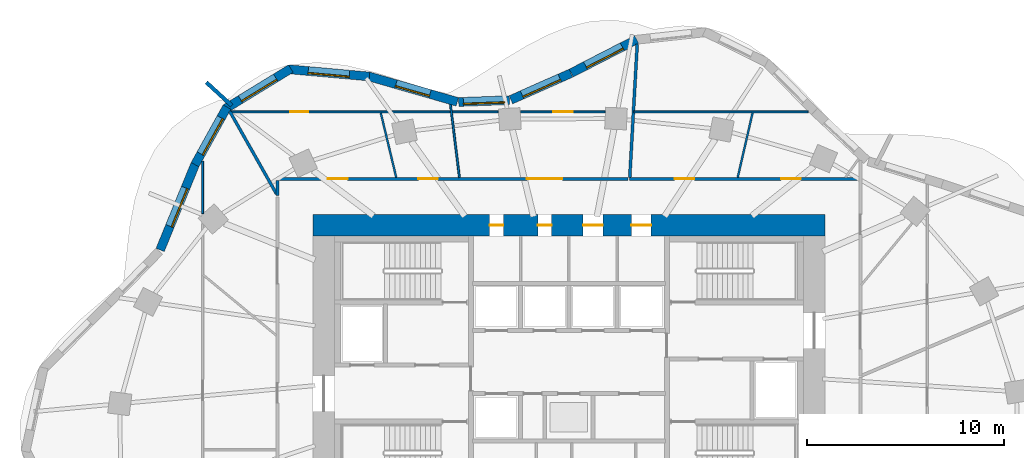
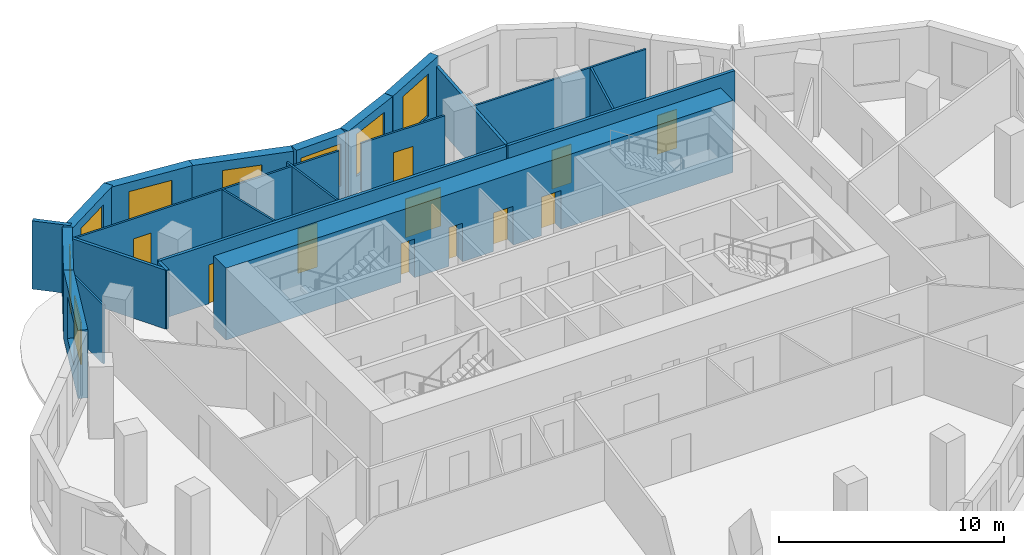
# One storey, part 7 of 10: 22 walls, 11 doors, 8 windows, 19 openings.
"""IFC4 building model written with IfcOpenShell, lengths in metres."""

import ifcopenshell
import ifcopenshell.guid

model = None  # the IFC model being written
_history = None  # IfcOwnerHistory: only IFC2X3 demands one
_inside = {}  # id of a spatial element -> (the spatial element, [elements in it])
_under = {}  # id of a project, library or spatial element -> (it, [spatial elements below it])
_declared = {}  # id of a project -> (the project, [libraries it declares])
_typed = {}  # id of a type object -> (the type object, [elements of that type])
_made_of = {}  # id of a material, layer set ... -> (it, [elements and type objects made of it])


def new_model(schema):
    """Start an empty IFC model of exactly this schema.

    Asked for "IFC4X3", IfcOpenShell would pick the latest addendum, in which some entities
    have other attributes; the version numbers below select the first issue.
    IFC2X3 requires an IfcOwnerHistory on every rooted entity: one is made here for all.
    """
    global model, _history
    if schema == "IFC4X3":
        model = ifcopenshell.file(schema_version=(4, 3, 0, 0))
    else:
        model = ifcopenshell.file(schema=schema)
    _inside.clear()
    _under.clear()
    _declared.clear()
    _typed.clear()
    _made_of.clear()
    _history = None
    if model.schema == "IFC2X3":
        org = make("IfcOrganization", Name="unknown")
        user = make(
            "IfcPersonAndOrganization",
            ThePerson=make("IfcPerson", FamilyName="unknown"),
            TheOrganization=org,
        )
        app = make(
            "IfcApplication",
            ApplicationDeveloper=org,
            Version="unknown",
            ApplicationFullName="unknown",
            ApplicationIdentifier="unknown",
        )
        _history = make(
            "IfcOwnerHistory",
            OwningUser=user,
            OwningApplication=app,
            ChangeAction="ADDED",
            CreationDate=0,
        )
    return model


def make(cls, **values):
    """One entity of the class cls with the attributes given. An attribute that is None is left unset."""
    return model.create_entity(
        cls, **{name: value for name, value in values.items() if value is not None}
    )


def rooted(cls, **values):
    """An entity with a GlobalId (a new one), such as an element, a storey or a relation."""
    return make(cls, GlobalId=ifcopenshell.guid.new(), OwnerHistory=_history, **values)


def si_unit(unit_type, name, prefix=None):
    """IfcSIUnit, for example si_unit("LENGTHUNIT", "METRE", prefix="MILLI")."""
    return make("IfcSIUnit", UnitType=unit_type, Prefix=prefix, Name=name)


def assignment(units):
    """IfcUnitAssignment: the units of a project."""
    return None if units is None else make("IfcUnitAssignment", Units=units)


def point(xyz):
    """IfcCartesianPoint."""
    return None if xyz is None else make("IfcCartesianPoint", Coordinates=xyz)


def direction(xyz):
    """IfcDirection."""
    return None if xyz is None else make("IfcDirection", DirectionRatios=xyz)


def frame(location, z_axis=None, x_axis=None):
    """IfcAxis2Placement3D, a coordinate frame: its origin and axes. An axis left out is left unset."""
    return make(
        "IfcAxis2Placement3D",
        Location=point(location),
        Axis=direction(z_axis),
        RefDirection=direction(x_axis),
    )


def frame_2d(location, x_axis=None):
    """IfcAxis2Placement2D, a coordinate frame in the plane: its origin and x axis."""
    return make(
        "IfcAxis2Placement2D", Location=point(location), RefDirection=direction(x_axis)
    )


def origin():
    """The frame at (0, 0, 0) with its axes left unset."""
    return frame((0.0, 0.0, 0.0))


def place(relative_to, where):
    """IfcLocalPlacement: puts the frame where relative to a parent placement (None: the world)."""
    return make(
        "IfcLocalPlacement", PlacementRelTo=relative_to, RelativePlacement=where
    )


def context(
    kind, dimensions, precision=None, world=None, true_north=None, identifier=None
):
    """IfcGeometricRepresentationContext, for example the 3D "Model" context."""
    return make(
        "IfcGeometricRepresentationContext",
        ContextIdentifier=identifier,
        ContextType=kind,
        CoordinateSpaceDimension=dimensions,
        Precision=precision,
        WorldCoordinateSystem=world,
        TrueNorth=true_north,
    )


def subcontext(parent, identifier, kind, view, scale=None):
    """IfcGeometricRepresentationSubContext, for example "Body" below "Model"."""
    return make(
        "IfcGeometricRepresentationSubContext",
        ContextIdentifier=identifier,
        ContextType=kind,
        ParentContext=parent,
        TargetScale=scale,
        TargetView=view,
    )


def project(units=None, contexts=None):
    """IfcProject with its units and contexts."""
    return rooted(
        "IfcProject",
        Name="project",
        RepresentationContexts=contexts,
        UnitsInContext=assignment(units),
    )


def spatial(cls, under=None, at=None, **own):
    """A site, building, storey or space (cls), placed at a placement, below another one or the project."""
    s = rooted(cls, ObjectPlacement=at, **own)
    if under is not None:
        _under.setdefault(under.id(), (under, []))[1].append(s)
    return s


def profile(cls, at=None, kind="AREA", **sizes):
    """A parametric profile (cls). Its sizes go by their IFC names, for example OverallWidth=200.0."""
    return make(cls, ProfileType=kind, Position=at, **sizes)


def rectangle(**sizes):
    """IfcRectangleProfileDef."""
    return profile("IfcRectangleProfileDef", **sizes)


def extrude(swept, where, along, depth):
    """IfcExtrudedAreaSolid: the profile swept, set in the frame where, extruded along a direction by depth."""
    return make(
        "IfcExtrudedAreaSolid",
        SweptArea=swept,
        Position=where,
        ExtrudedDirection=direction(along),
        Depth=depth,
    )


def shape(context_of_items, identifier, shape_type, items):
    """IfcShapeRepresentation: the items that make up one representation, for example the "Body"."""
    return make(
        "IfcShapeRepresentation",
        ContextOfItems=context_of_items,
        RepresentationIdentifier=identifier,
        RepresentationType=shape_type,
        Items=items,
    )


def material(Name=None, Category=None):
    """IfcMaterial."""
    return make("IfcMaterial", Name=Name, Category=Category)


def layer(
    of_material, thickness, ventilated=None, Name=None, Category=None, Priority=None
):
    """IfcMaterialLayer: one layer of a wall or slab, of a material (None: an air gap)."""
    return make(
        "IfcMaterialLayer",
        Material=of_material,
        LayerThickness=thickness,
        IsVentilated=ventilated,
        Name=Name,
        Category=Category,
        Priority=Priority,
    )


def layer_set(layers, Name=None):
    """IfcMaterialLayerSet."""
    return make("IfcMaterialLayerSet", MaterialLayers=layers, LayerSetName=Name)


def made_of(thing, what):
    """Note that an element or type object is made of a material, layer set ...; save() writes the relation."""
    if what is not None:
        _made_of.setdefault(what.id(), (what, []))[1].append(thing)
    return thing


def type_object(cls, material=None, **own):
    """A type object (cls), such as IfcWallType, which elements share."""
    return made_of(rooted(cls, **own), material)


def element(
    cls,
    number,
    at=None,
    inside=None,
    cuts=None,
    type_object=None,
    material=None,
    context=None,
    identifier="Body",
    shape_type=None,
    held_by="IfcProductDefinitionShape",
    body=None,
    shapes=None,
    **own,
):
    """One element of the class cls, such as IfcWall. Its Tag is "e" and its number.

    at: its placement. inside: the storey or other place that contains it. cuts: it is an
    opening in that element (IfcRelVoidsElement). A single representation is given by context,
    identifier, shape_type and body (its items); several are given by shapes. held_by: the class
    of the entity that holds the representations. save() writes the other relations.
    """
    e = rooted(cls, Tag="e%d" % number, ObjectPlacement=at, **own)
    if body is not None:
        shapes = [shape(context, identifier, shape_type, body)]
    if shapes is not None:
        e.Representation = make(held_by, Representations=shapes)
    if inside is not None:
        _inside.setdefault(inside.id(), (inside, []))[1].append(e)
    if cuts is not None:
        rooted(
            "IfcRelVoidsElement", RelatingBuildingElement=cuts, RelatedOpeningElement=e
        )
    if type_object is not None:
        _typed.setdefault(type_object.id(), (type_object, []))[1].append(e)
    return made_of(e, material)


def fill(opening, filler):
    """IfcRelFillsElement: the door or window that sits in an opening."""
    return rooted(
        "IfcRelFillsElement",
        RelatingOpeningElement=opening,
        RelatedBuildingElement=filler,
    )


def aggregate(whole, parts):
    """IfcRelAggregates: a whole, such as a stair, and the parts it consists of."""
    return rooted("IfcRelAggregates", RelatingObject=whole, RelatedObjects=parts)


def save(model, path):
    """Write the relations noted so far, then the file.

    IfcRelAggregates (storeys below a building ...), IfcRelContainedInSpatialStructure (elements
    in a storey), IfcRelDefinesByType, IfcRelAssociatesMaterial and IfcRelDeclares: one each for
    every whole, place, type object, material and project.
    """
    for whole, parts in _under.values():
        aggregate(whole, parts)
    for where, things in _inside.values():
        rooted(
            "IfcRelContainedInSpatialStructure",
            RelatedElements=things,
            RelatingStructure=where,
        )
    for kind, things in _typed.values():
        rooted("IfcRelDefinesByType", RelatedObjects=things, RelatingType=kind)
    for what, things in _made_of.values():
        rooted("IfcRelAssociatesMaterial", RelatedObjects=things, RelatingMaterial=what)
    for by, libraries in _declared.values():
        rooted("IfcRelDeclares", RelatingContext=by, RelatedDefinitions=libraries)
    model.write(path)


model = new_model("IFC4")

# Units and contexts
model_context = context("Model", 3, precision=1e-05, world=origin(), true_north=direction((0.0, 1.0)))
body_context = subcontext(model_context, "Body", "Model", "MODEL_VIEW")
ifc_project = project(units=[si_unit("LENGTHUNIT", "METRE"), si_unit("AREAUNIT", "SQUARE_METRE"), si_unit("VOLUMEUNIT", "CUBIC_METRE"), si_unit("PLANEANGLEUNIT", "RADIAN"), si_unit("MASSUNIT", "GRAM", prefix="KILO")], contexts=[model_context])

# Site, building, storey
site_placement = place(None, origin())
site = spatial("IfcSite", under=ifc_project, at=site_placement, CompositionType="ELEMENT")
building_placement = place(site_placement, origin())
building = spatial("IfcBuilding", under=site, at=building_placement, Name="Rubra Terraces Tower", CompositionType="ELEMENT")
storey_placement = place(building_placement, frame((0.0, 0.0, 134.39990234375)))
storey = spatial("IfcBuildingStorey", under=building, at=storey_placement, Name="L32", CompositionType="ELEMENT", Elevation=134.39990234375)

# Wall, opening, window
ifc_material_1 = material(Name="Brick masonry red-brown", Category="masonry")
ifc_layer_1 = layer(ifc_material_1, 0.449951171875)
ifc_layer_set_1 = layer_set([ifc_layer_1], Name="Brick masonry red-brown")
wall_type_1 = type_object("IfcWallType", Name="Brick facade wall 450", PredefinedType="SOLIDWALL", material=ifc_layer_set_1)
wall_1_placement = place(storey_placement, frame((3.439697265625, 20.879638671875, 0.0), z_axis=(0.0, 0.0, 1.0), x_axis=(-0.889471529144, -0.456990589446, 0.0)))
wall_1 = element("IfcWall", 1, at=wall_1_placement, inside=storey, type_object=wall_type_1, Name="Facade wall L32 bay 10", PredefinedType="SOLIDWALL", context=body_context, shape_type="SweptSolid", body=[
    extrude(rectangle(XDim=3.7353515625, YDim=0.449951171875, at=frame_2d((1.86767578125, 0.0))), origin(), (0.0, 0.0, 1.0), 3.7001953125),
])
opening_1_placement = place(wall_1_placement, frame((0.817626953125, 0.0, 0.89990234375)))
opening_1 = element("IfcOpeningElement", 2, at=opening_1_placement, cuts=wall_1, Name="Opening W1B", PredefinedType="OPENING", context=body_context, shape_type="SweptSolid", body=[
    extrude(rectangle(XDim=2.10009765625, YDim=2.300048828125, at=frame_2d((1.050048828125, 1.14990234375))), frame((0.0, 0.23486328125, 0.0), z_axis=(0.0, -1.0, 0.0), x_axis=(1.0, 0.0, 0.0)), (0.0, 0.0, 1.0), 0.469970703125),
])
ifc_material_2 = material(Name="Clear glass in aluminium frame", Category="aluminium")
window_type_1 = type_object("IfcWindowType", Name="Fixed deep-set window tall storey 2100 x 2300", PartitioningType="SINGLE_PANEL", PredefinedType="WINDOW", material=ifc_material_2)
window_1_placement = place(opening_1_placement, origin())
window_1 = element("IfcWindow", 3, at=window_1_placement, inside=storey, type_object=window_type_1, Name="Window L32 bay 10", OverallHeight=2.300048828125, OverallWidth=2.10009765625, PartitioningType="SINGLE_PANEL", PredefinedType="WINDOW", context=body_context, shape_type="SweptSolid", body=[
    extrude(rectangle(XDim=2.10009765625, YDim=2.300048828125, at=frame_2d((1.050048828125, 1.14990234375))), frame((0.0, 0.135009765625, 0.0), z_axis=(0.0, -1.0, 0.0), x_axis=(1.0, 0.0, 0.0)), (0.0, 0.0, 1.0), 0.06005859375),
])
fill(opening_1, window_1)

wall_2_placement = place(storey_placement, frame((0.105224609375, 19.1669921875, 0.0), z_axis=(0.0, 0.0, 1.0), x_axis=(-0.91414046241, -0.405397601109, 0.0)))
wall_2 = element("IfcWall", 4, at=wall_2_placement, inside=storey, type_object=wall_type_1, Name="Facade wall L32 bay 11", PredefinedType="SOLIDWALL", context=body_context, shape_type="SweptSolid", body=[
    extrude(rectangle(XDim=3.333251953125, YDim=0.449951171875, at=frame_2d((1.66650390625, 0.0))), origin(), (0.0, 0.0, 1.0), 3.7001953125),
])
opening_2_placement = place(wall_2_placement, frame((0.61669921875, 0.0, 0.89990234375)))
opening_2 = element("IfcOpeningElement", 5, at=opening_2_placement, cuts=wall_2, Name="Opening W1B", PredefinedType="OPENING", context=body_context, shape_type="SweptSolid", body=[
    extrude(rectangle(XDim=2.10009765625, YDim=2.300048828125, at=frame_2d((1.050048828125, 1.14990234375))), frame((0.0, 0.23486328125, 0.0), z_axis=(0.0, -1.0, 0.0), x_axis=(1.0, 0.0, 0.0)), (0.0, 0.0, 1.0), 0.469970703125),
])
window_2_placement = place(opening_2_placement, origin())
window_2 = element("IfcWindow", 6, at=window_2_placement, inside=storey, type_object=window_type_1, Name="Window L32 bay 11", OverallHeight=2.300048828125, OverallWidth=2.10009765625, PartitioningType="SINGLE_PANEL", PredefinedType="WINDOW", context=body_context, shape_type="SweptSolid", body=[
    extrude(rectangle(XDim=2.10009765625, YDim=2.300048828125, at=frame_2d((1.050048828125, 1.14990234375))), frame((0.0, 0.135009765625, 0.0), z_axis=(0.0, -1.0, 0.0), x_axis=(1.0, 0.0, 0.0)), (0.0, 0.0, 1.0), 0.06005859375),
])
fill(opening_2, window_2)

wall_3_placement = place(storey_placement, frame((-3.022216796875, 17.797607421875, 0.0), z_axis=(0.0, 0.0, 1.0), x_axis=(-0.999339560591, -0.036337895349, 0.0)))
wall_3 = element("IfcWall", 7, at=wall_3_placement, inside=storey, type_object=wall_type_1, Name="Facade wall L32 bay 12", PredefinedType="SOLIDWALL", context=body_context, shape_type="SweptSolid", body=[
    extrude(rectangle(XDim=2.5732421875, YDim=0.449951171875, at=frame_2d((1.28662109375, 0.0))), origin(), (0.0, 0.0, 1.0), 3.7001953125),
])
opening_3_placement = place(wall_3_placement, frame((0.236572265625, 0.0, 0.89990234375)))
opening_3 = element("IfcOpeningElement", 8, at=opening_3_placement, cuts=wall_3, Name="Opening W1B", PredefinedType="OPENING", context=body_context, shape_type="SweptSolid", body=[
    extrude(rectangle(XDim=2.10009765625, YDim=2.300048828125, at=frame_2d((1.050048828125, 1.14990234375))), frame((0.0, 0.23486328125, 0.0), z_axis=(0.0, -1.0, 0.0), x_axis=(1.0, 0.0, 0.0)), (0.0, 0.0, 1.0), 0.469970703125),
])
window_3_placement = place(opening_3_placement, origin())
window_3 = element("IfcWindow", 9, at=window_3_placement, inside=storey, type_object=window_type_1, Name="Window L32 bay 12", OverallHeight=2.300048828125, OverallWidth=2.10009765625, PartitioningType="SINGLE_PANEL", PredefinedType="WINDOW", context=body_context, shape_type="SweptSolid", body=[
    extrude(rectangle(XDim=2.10009765625, YDim=2.300048828125, at=frame_2d((1.050048828125, 1.14990234375))), frame((0.0, 0.135009765625, 0.0), z_axis=(0.0, -1.0, 0.0), x_axis=(1.0, 0.0, 0.0)), (0.0, 0.0, 1.0), 0.06005859375),
])
fill(opening_3, window_3)

wall_4_placement = place(storey_placement, frame((-5.6640625, 17.712646484375, 0.0), z_axis=(0.0, 0.0, 1.0), x_axis=(-0.961108031684, 0.276172684083, 0.0)))
wall_4 = element("IfcWall", 10, at=wall_4_placement, inside=storey, type_object=wall_type_1, Name="Facade wall L32 bay 13", PredefinedType="SOLIDWALL", context=body_context, shape_type="SweptSolid", body=[
    extrude(rectangle(XDim=4.686279296875, YDim=0.449951171875, at=frame_2d((2.34326171875, 0.0))), origin(), (0.0, 0.0, 1.0), 3.7001953125),
])
opening_4_placement = place(wall_4_placement, frame((1.443115234375, 0.0, 0.89990234375)))
opening_4 = element("IfcOpeningElement", 11, at=opening_4_placement, cuts=wall_4, Name="Opening W6B", PredefinedType="OPENING", context=body_context, shape_type="SweptSolid", body=[
    extrude(rectangle(XDim=1.800048828125, YDim=2.300048828125, at=frame_2d((0.89990234375, 1.14990234375))), frame((0.0, 0.23486328125, 0.0), z_axis=(0.0, -1.0, 0.0), x_axis=(1.0, 0.0, 0.0)), (0.0, 0.0, 1.0), 0.469970703125),
])
window_type_2 = type_object("IfcWindowType", Name="Fixed deep-set window at wind fin tall storey 1800 x 2300", PartitioningType="SINGLE_PANEL", PredefinedType="WINDOW", material=ifc_material_2)
window_4_placement = place(opening_4_placement, origin())
window_4 = element("IfcWindow", 12, at=window_4_placement, inside=storey, type_object=window_type_2, Name="Window L32 bay 13", OverallHeight=2.300048828125, OverallWidth=1.800048828125, PartitioningType="SINGLE_PANEL", PredefinedType="WINDOW", context=body_context, shape_type="SweptSolid", body=[
    extrude(rectangle(XDim=1.800048828125, YDim=2.300048828125, at=frame_2d((0.89990234375, 1.14990234375))), frame((0.0, 0.135009765625, 0.0), z_axis=(0.0, -1.0, 0.0), x_axis=(1.0, 0.0, 0.0)), (0.0, 0.0, 1.0), 0.06005859375),
])
fill(opening_4, window_4)

wall_5_placement = place(storey_placement, frame((-10.125732421875, 18.9990234375, 0.0), z_axis=(0.0, 0.0, 1.0), x_axis=(-0.996031087117, 0.089006030672, 0.0)))
wall_5 = element("IfcWall", 13, at=wall_5_placement, inside=storey, type_object=wall_type_1, Name="Facade wall L32 bay 14", PredefinedType="SOLIDWALL", context=body_context, shape_type="SweptSolid", body=[
    extrude(rectangle(XDim=4.14453125, YDim=0.449951171875, at=frame_2d((2.072265625, 0.0))), origin(), (0.0, 0.0, 1.0), 3.7001953125),
])
opening_5_placement = place(wall_5_placement, frame((1.022216796875, 0.0, 0.89990234375)))
opening_5 = element("IfcOpeningElement", 14, at=opening_5_placement, cuts=wall_5, Name="Opening W1B", PredefinedType="OPENING", context=body_context, shape_type="SweptSolid", body=[
    extrude(rectangle(XDim=2.10009765625, YDim=2.300048828125, at=frame_2d((1.050048828125, 1.14990234375))), frame((0.0, 0.23486328125, 0.0), z_axis=(0.0, -1.0, 0.0), x_axis=(1.0, 0.0, 0.0)), (0.0, 0.0, 1.0), 0.469970703125),
])
window_5_placement = place(opening_5_placement, origin())
window_5 = element("IfcWindow", 15, at=window_5_placement, inside=storey, type_object=window_type_1, Name="Window L32 bay 14", OverallHeight=2.300048828125, OverallWidth=2.10009765625, PartitioningType="SINGLE_PANEL", PredefinedType="WINDOW", context=body_context, shape_type="SweptSolid", body=[
    extrude(rectangle(XDim=2.10009765625, YDim=2.300048828125, at=frame_2d((1.050048828125, 1.14990234375))), frame((0.0, 0.135009765625, 0.0), z_axis=(0.0, -1.0, 0.0), x_axis=(1.0, 0.0, 0.0)), (0.0, 0.0, 1.0), 0.06005859375),
])
fill(opening_5, window_5)

wall_6_placement = place(storey_placement, frame((-14.116455078125, 19.400146484375, 0.0), z_axis=(0.0, 0.0, 1.0), x_axis=(-0.852622865325, -0.522526793117, 0.0)))
wall_6 = element("IfcWall", 16, at=wall_6_placement, inside=storey, type_object=wall_type_1, Name="Facade wall L32 bay 15", PredefinedType="SOLIDWALL", context=body_context, shape_type="SweptSolid", body=[
    extrude(rectangle(XDim=3.896240234375, YDim=0.449951171875, at=frame_2d((1.9482421875, 0.0))), origin(), (0.0, 0.0, 1.0), 3.7001953125),
])
opening_6_placement = place(wall_6_placement, frame((0.898193359375, 0.0, 0.89990234375)))
opening_6 = element("IfcOpeningElement", 17, at=opening_6_placement, cuts=wall_6, Name="Opening W1B", PredefinedType="OPENING", context=body_context, shape_type="SweptSolid", body=[
    extrude(rectangle(XDim=2.10009765625, YDim=2.300048828125, at=frame_2d((1.050048828125, 1.14990234375))), frame((0.0, 0.23486328125, 0.0), z_axis=(0.0, -1.0, 0.0), x_axis=(1.0, 0.0, 0.0)), (0.0, 0.0, 1.0), 0.469970703125),
])
window_6_placement = place(opening_6_placement, origin())
window_6 = element("IfcWindow", 18, at=window_6_placement, inside=storey, type_object=window_type_1, Name="Window L32 bay 15", OverallHeight=2.300048828125, OverallWidth=2.10009765625, PartitioningType="SINGLE_PANEL", PredefinedType="WINDOW", context=body_context, shape_type="SweptSolid", body=[
    extrude(rectangle(XDim=2.10009765625, YDim=2.300048828125, at=frame_2d((1.050048828125, 1.14990234375))), frame((0.0, 0.135009765625, 0.0), z_axis=(0.0, -1.0, 0.0), x_axis=(1.0, 0.0, 0.0)), (0.0, 0.0, 1.0), 0.06005859375),
])
fill(opening_6, window_6)

wall_7_placement = place(storey_placement, frame((-17.359375, 17.44677734375, 0.0), z_axis=(0.0, 0.0, 1.0), x_axis=(-0.485618126214, -0.874171056197, 0.0)))
wall_7 = element("IfcWall", 19, at=wall_7_placement, inside=storey, type_object=wall_type_1, Name="Facade wall L32 bay 16", PredefinedType="SOLIDWALL", context=body_context, shape_type="SweptSolid", body=[
    extrude(rectangle(XDim=3.3427734375, YDim=0.449951171875, at=frame_2d((1.67138671875, 0.0))), origin(), (0.0, 0.0, 1.0), 3.7001953125),
])
opening_7_placement = place(wall_7_placement, frame((0.621337890625, 0.0, 0.89990234375)))
opening_7 = element("IfcOpeningElement", 20, at=opening_7_placement, cuts=wall_7, Name="Opening W1B", PredefinedType="OPENING", context=body_context, shape_type="SweptSolid", body=[
    extrude(rectangle(XDim=2.10009765625, YDim=2.300048828125, at=frame_2d((1.050048828125, 1.14990234375))), frame((0.0, 0.23486328125, 0.0), z_axis=(0.0, -1.0, 0.0), x_axis=(1.0, 0.0, 0.0)), (0.0, 0.0, 1.0), 0.469970703125),
])
window_7_placement = place(opening_7_placement, origin())
window_7 = element("IfcWindow", 21, at=window_7_placement, inside=storey, type_object=window_type_1, Name="Window L32 bay 16", OverallHeight=2.300048828125, OverallWidth=2.10009765625, PartitioningType="SINGLE_PANEL", PredefinedType="WINDOW", context=body_context, shape_type="SweptSolid", body=[
    extrude(rectangle(XDim=2.10009765625, YDim=2.300048828125, at=frame_2d((1.050048828125, 1.14990234375))), frame((0.0, 0.135009765625, 0.0), z_axis=(0.0, -1.0, 0.0), x_axis=(1.0, 0.0, 0.0)), (0.0, 0.0, 1.0), 0.06005859375),
])
fill(opening_7, window_7)

wall_8_placement = place(storey_placement, frame((-18.97119140625, 14.548828125, 0.0), z_axis=(0.0, 0.0, 1.0), x_axis=(-0.378434936431, -0.925627894398, 0.0)))
wall_8 = element("IfcWall", 22, at=wall_8_placement, inside=storey, type_object=wall_type_1, Name="Facade wall L32 bay 17", PredefinedType="SOLIDWALL", context=body_context, shape_type="SweptSolid", body=[
    extrude(rectangle(XDim=4.70751953125, YDim=0.449951171875, at=frame_2d((2.353759765625, 0.0))), origin(), (0.0, 0.0, 1.0), 3.7001953125),
])
opening_8_placement = place(wall_8_placement, frame((1.3037109375, 0.0, 0.89990234375)))
opening_8 = element("IfcOpeningElement", 23, at=opening_8_placement, cuts=wall_8, Name="Opening W1B", PredefinedType="OPENING", context=body_context, shape_type="SweptSolid", body=[
    extrude(rectangle(XDim=2.10009765625, YDim=2.300048828125, at=frame_2d((1.050048828125, 1.14990234375))), frame((0.0, 0.23486328125, 0.0), z_axis=(0.0, -1.0, 0.0), x_axis=(1.0, 0.0, 0.0)), (0.0, 0.0, 1.0), 0.469970703125),
])
window_8_placement = place(opening_8_placement, origin())
window_8 = element("IfcWindow", 24, at=window_8_placement, inside=storey, type_object=window_type_1, Name="Window L32 bay 17", OverallHeight=2.300048828125, OverallWidth=2.10009765625, PartitioningType="SINGLE_PANEL", PredefinedType="WINDOW", context=body_context, shape_type="SweptSolid", body=[
    extrude(rectangle(XDim=2.10009765625, YDim=2.300048828125, at=frame_2d((1.050048828125, 1.14990234375))), frame((0.0, 0.135009765625, 0.0), z_axis=(0.0, -1.0, 0.0), x_axis=(1.0, 0.0, 0.0)), (0.0, 0.0, 1.0), 0.06005859375),
])
fill(opening_8, window_8)

# Wall
ifc_layer_2 = layer(ifc_material_1, 0.199951171875)
ifc_layer_set_2 = layer_set([ifc_layer_2], Name="Brick masonry red-brown")
wall_type_2 = type_object("IfcWallType", Name="Brick wind fin 200", PredefinedType="SOLIDWALL", material=ifc_layer_set_2)
wall_9_placement = place(storey_placement, frame((-17.118896484375, 17.52294921875, 0.0), z_axis=(0.0, 0.0, 1.0), x_axis=(-0.737866019047, 0.674947211221, 0.0)))
element("IfcWall", 25, at=wall_9_placement, inside=storey, type_object=wall_type_2, Name="Wind fin L32 8", PredefinedType="SOLIDWALL", context=body_context, shape_type="SweptSolid", body=[
    extrude(rectangle(XDim=1.75, YDim=0.199951171875, at=frame_2d((0.875, 0.0))), origin(), (0.0, 0.0, 1.0), 3.7001953125),
])

# Wall, openings, doors
ifc_material_3 = material(Name="Concrete C60", Category="concrete")
ifc_layer_3 = layer(ifc_material_3, 1.10009765625)
ifc_layer_set_3 = layer_set([ifc_layer_3], Name="Concrete C60")
wall_type_3 = type_object("IfcWallType", Name="CORE WALL 1100 C60", PredefinedType="SHEAR", material=ifc_layer_set_3)
wall_10_placement = place(storey_placement, frame((-13.0, 11.449951171875, 0.0), z_axis=(0.0, 0.0, 1.0), x_axis=(1.0, 0.0, 0.0)))
wall_10 = element("IfcWall", 26, at=wall_10_placement, inside=storey, type_object=wall_type_3, Name="CORE WALL N L32", PredefinedType="SHEAR", context=body_context, shape_type="SweptSolid", body=[
    extrude(rectangle(XDim=26.0, YDim=1.10009765625, at=frame_2d((13.0, 0.0))), origin(), (0.0, 0.0, 1.0), 3.900146484375),
])
opening_9_placement = place(wall_10_placement, frame((8.97509765625, 0.0, 0.0)))
opening_9 = element("IfcOpeningElement", 27, at=opening_9_placement, cuts=wall_10, Name="Opening L32.C25", PredefinedType="OPENING", context=body_context, shape_type="SweptSolid", body=[
    extrude(rectangle(XDim=0.699951171875, YDim=2.10009765625, at=frame_2d((0.35009765625, 1.050048828125))), frame((0.0, 0.56005859375, 0.0), z_axis=(0.0, -1.0, 0.0), x_axis=(1.0, 0.0, 0.0)), (0.0, 0.0, 1.0), 1.1201171875),
])
opening_10_placement = place(wall_10_placement, frame((11.425048828125, 0.0, 0.0)))
opening_10 = element("IfcOpeningElement", 28, at=opening_10_placement, cuts=wall_10, Name="Opening L32.C26", PredefinedType="OPENING", context=body_context, shape_type="SweptSolid", body=[
    extrude(rectangle(XDim=0.699951171875, YDim=2.10009765625, at=frame_2d((0.35009765625, 1.050048828125))), frame((0.0, 0.56005859375, 0.0), z_axis=(0.0, -1.0, 0.0), x_axis=(1.0, 0.0, 0.0)), (0.0, 0.0, 1.0), 1.1201171875),
])
opening_11_placement = place(wall_10_placement, frame((13.72509765625, 0.0, 0.0)))
opening_11 = element("IfcOpeningElement", 29, at=opening_11_placement, cuts=wall_10, Name="Opening L32.C27", PredefinedType="OPENING", context=body_context, shape_type="SweptSolid", body=[
    extrude(rectangle(XDim=1.0, YDim=2.10009765625, at=frame_2d((0.5, 1.050048828125))), frame((0.0, 0.56005859375, 0.0), z_axis=(0.0, -1.0, 0.0), x_axis=(1.0, 0.0, 0.0)), (0.0, 0.0, 1.0), 1.1201171875),
])
opening_12_placement = place(wall_10_placement, frame((16.175048828125, 0.0, 0.0)))
opening_12 = element("IfcOpeningElement", 30, at=opening_12_placement, cuts=wall_10, Name="Opening L32.C28", PredefinedType="OPENING", context=body_context, shape_type="SweptSolid", body=[
    extrude(rectangle(XDim=1.0, YDim=2.10009765625, at=frame_2d((0.5, 1.050048828125))), frame((0.0, 0.56005859375, 0.0), z_axis=(0.0, -1.0, 0.0), x_axis=(1.0, 0.0, 0.0)), (0.0, 0.0, 1.0), 1.1201171875),
])
ifc_material_4 = material(Name="Painted steel", Category="steel")
door_type_1 = type_object("IfcDoorType", Name="Fire door 1000x2100 single", OperationType="NOTDEFINED", PredefinedType="DOOR", material=ifc_material_4)
door_1_placement = place(opening_11_placement, origin())
door_1 = element("IfcDoor", 31, at=door_1_placement, inside=storey, type_object=door_type_1, Name="Tea point door", OperationType="SINGLE_SWING_LEFT", OverallHeight=2.10009765625, OverallWidth=1.0, PredefinedType="DOOR", context=body_context, shape_type="SweptSolid", body=[
    extrude(rectangle(XDim=1.0, YDim=2.10009765625, at=frame_2d((0.5, 1.050048828125))), frame((0.0, 0.02490234375, 0.0), z_axis=(0.0, -1.0, 0.0), x_axis=(1.0, 0.0, 0.0)), (0.0, 0.0, 1.0), 0.050048828125),
])
fill(opening_11, door_1)
door_2_placement = place(opening_12_placement, origin())
door_2 = element("IfcDoor", 32, at=door_2_placement, inside=storey, type_object=door_type_1, Name="General store door", OperationType="SINGLE_SWING_RIGHT", OverallHeight=2.10009765625, OverallWidth=1.0, PredefinedType="DOOR", context=body_context, shape_type="SweptSolid", body=[
    extrude(rectangle(XDim=1.0, YDim=2.10009765625, at=frame_2d((0.5, 1.050048828125))), frame((0.0, 0.02490234375, 0.0), z_axis=(0.0, -1.0, 0.0), x_axis=(1.0, 0.0, 0.0)), (0.0, 0.0, 1.0), 0.050048828125),
])
fill(opening_12, door_2)
door_type_2 = type_object("IfcDoorType", Name="Riser access door 700x2100 single", OperationType="NOTDEFINED", PredefinedType="DOOR", material=ifc_material_4)
door_3_placement = place(opening_9_placement, origin())
door_3 = element("IfcDoor", 33, at=door_3_placement, inside=storey, type_object=door_type_2, Name="Electrical riser room door", OperationType="SINGLE_SWING_LEFT", OverallHeight=2.10009765625, OverallWidth=0.699951171875, PredefinedType="DOOR", context=body_context, shape_type="SweptSolid", body=[
    extrude(rectangle(XDim=0.699951171875, YDim=2.10009765625, at=frame_2d((0.35009765625, 1.050048828125))), frame((0.0, 0.02490234375, 0.0), z_axis=(0.0, -1.0, 0.0), x_axis=(1.0, 0.0, 0.0)), (0.0, 0.0, 1.0), 0.050048828125),
])
fill(opening_9, door_3)
door_4_placement = place(opening_10_placement, origin())
door_4 = element("IfcDoor", 34, at=door_4_placement, inside=storey, type_object=door_type_2, Name="Telecoms room door", OperationType="SINGLE_SWING_RIGHT", OverallHeight=2.10009765625, OverallWidth=0.699951171875, PredefinedType="DOOR", context=body_context, shape_type="SweptSolid", body=[
    extrude(rectangle(XDim=0.699951171875, YDim=2.10009765625, at=frame_2d((0.35009765625, 1.050048828125))), frame((0.0, 0.02490234375, 0.0), z_axis=(0.0, -1.0, 0.0), x_axis=(1.0, 0.0, 0.0)), (0.0, 0.0, 1.0), 0.050048828125),
])
fill(opening_10, door_4)

ifc_material_5 = material(Name="Plasterboard on steel stud, mineral wool infill", Category="steel")
ifc_layer_4 = layer(ifc_material_5, 0.14990234375)
ifc_layer_set_4 = layer_set([ifc_layer_4], Name="Plasterboard on steel stud, mineral wool infill")
wall_type_4 = type_object("IfcWallType", Name="CORRIDOR PARTITION 150", PredefinedType="PARTITIONING", material=ifc_layer_set_4)
wall_11_placement = place(storey_placement, frame((14.72509765625, 13.800048828125, 0.0), z_axis=(0.0, 0.0, 1.0), x_axis=(-1.0, 0.0, 0.0)))
wall_11 = element("IfcWall", 35, at=wall_11_placement, inside=storey, type_object=wall_type_4, Name="PARTITION", PredefinedType="PARTITIONING", context=body_context, shape_type="SweptSolid", body=[
    extrude(rectangle(XDim=11.638427734375, YDim=0.14990234375, at=frame_2d((5.8193359375, 0.0))), origin(), (0.0, 0.0, 1.0), 3.197998046875),
])
opening_13_placement = place(wall_11_placement, frame((2.949951171875, 0.0, 0.0)))
opening_13 = element("IfcOpeningElement", 36, at=opening_13_placement, cuts=wall_11, Name="Opening 32-124", PredefinedType="OPENING", context=body_context, shape_type="SweptSolid", body=[
    extrude(rectangle(XDim=1.0, YDim=2.10009765625, at=frame_2d((0.5, 1.050048828125))), frame((0.0, 0.0849609375, 0.0), z_axis=(0.0, -1.0, 0.0), x_axis=(1.0, 0.0, 0.0)), (0.0, 0.0, 1.0), 0.169921875),
])
opening_14_placement = place(wall_11_placement, frame((8.35009765625, 0.0, 0.0)))
opening_14 = element("IfcOpeningElement", 37, at=opening_14_placement, cuts=wall_11, Name="Opening 32-125", PredefinedType="OPENING", context=body_context, shape_type="SweptSolid", body=[
    extrude(rectangle(XDim=1.0, YDim=2.10009765625, at=frame_2d((0.5, 1.050048828125))), frame((0.0, 0.0849609375, 0.0), z_axis=(0.0, -1.0, 0.0), x_axis=(1.0, 0.0, 0.0)), (0.0, 0.0, 1.0), 0.169921875),
])
ifc_material_6 = material(Name="Painted timber door leaf", Category="wood")
door_type_3 = type_object("IfcDoorType", Name="ROOM DOOR 1000 X 2100", OperationType="SINGLE_SWING_LEFT", PredefinedType="DOOR", material=ifc_material_6)
door_5_placement = place(opening_13_placement, origin())
door_5 = element("IfcDoor", 38, at=door_5_placement, inside=storey, type_object=door_type_3, Name="DOOR 32-124", OperationType="SINGLE_SWING_RIGHT", OverallHeight=2.10009765625, OverallWidth=1.0, PredefinedType="DOOR", context=body_context, shape_type="SweptSolid", body=[
    extrude(rectangle(XDim=1.0, YDim=2.10009765625, at=frame_2d((0.5, 1.050048828125))), frame((0.0, 0.02490234375, 0.0), z_axis=(0.0, -1.0, 0.0), x_axis=(1.0, 0.0, 0.0)), (0.0, 0.0, 1.0), 0.050048828125),
])
fill(opening_13, door_5)
door_6_placement = place(opening_14_placement, origin())
door_6 = element("IfcDoor", 39, at=door_6_placement, inside=storey, type_object=door_type_3, Name="DOOR 32-125", OperationType="SINGLE_SWING_RIGHT", OverallHeight=2.10009765625, OverallWidth=1.0, PredefinedType="DOOR", context=body_context, shape_type="SweptSolid", body=[
    extrude(rectangle(XDim=1.0, YDim=2.10009765625, at=frame_2d((0.5, 1.050048828125))), frame((0.0, 0.02490234375, 0.0), z_axis=(0.0, -1.0, 0.0), x_axis=(1.0, 0.0, 0.0)), (0.0, 0.0, 1.0), 0.050048828125),
])
fill(opening_14, door_6)

wall_12_placement = place(storey_placement, frame((3.01171875, 13.800048828125, 0.0), z_axis=(0.0, 0.0, 1.0), x_axis=(-1.0, 0.0, 0.0)))
wall_12 = element("IfcWall", 40, at=wall_12_placement, inside=storey, type_object=wall_type_4, Name="PARTITION", PredefinedType="PARTITIONING", context=body_context, shape_type="SweptSolid", body=[
    extrude(rectangle(XDim=17.811767578125, YDim=0.14990234375, at=frame_2d((8.90576171875, 0.0))), origin(), (0.0, 0.0, 1.0), 3.197998046875),
])
opening_15_placement = place(wall_12_placement, frame((3.342041015625, 0.0, 0.0)))
opening_15 = element("IfcOpeningElement", 41, at=opening_15_placement, cuts=wall_12, Name="Opening 32-104", PredefinedType="OPENING", context=body_context, shape_type="SweptSolid", body=[
    extrude(rectangle(XDim=1.800048828125, YDim=2.10009765625, at=frame_2d((0.89990234375, 1.050048828125))), frame((0.0, 0.0849609375, 0.0), z_axis=(0.0, -1.0, 0.0), x_axis=(1.0, 0.0, 0.0)), (0.0, 0.0, 1.0), 0.169921875),
])
opening_16_placement = place(wall_12_placement, frame((9.658935546875, 0.0, 0.0)))
opening_16 = element("IfcOpeningElement", 42, at=opening_16_placement, cuts=wall_12, Name="Opening 32-105", PredefinedType="OPENING", context=body_context, shape_type="SweptSolid", body=[
    extrude(rectangle(XDim=1.0, YDim=2.39990234375, at=frame_2d((0.5, 1.199951171875))), frame((0.0, 0.0849609375, 0.0), z_axis=(0.0, -1.0, 0.0), x_axis=(1.0, 0.0, 0.0)), (0.0, 0.0, 1.0), 0.169921875),
])
opening_17_placement = place(wall_12_placement, frame((14.25, 0.0, 0.0)))
opening_17 = element("IfcOpeningElement", 43, at=opening_17_placement, cuts=wall_12, Name="Opening 32-127", PredefinedType="OPENING", context=body_context, shape_type="SweptSolid", body=[
    extrude(rectangle(XDim=1.0, YDim=2.10009765625, at=frame_2d((0.5, 1.050048828125))), frame((0.0, 0.0849609375, 0.0), z_axis=(0.0, -1.0, 0.0), x_axis=(1.0, 0.0, 0.0)), (0.0, 0.0, 1.0), 0.169921875),
])
ifc_material_7 = material(Name="Glazed aluminium meeting door leaf", Category="aluminium")
door_type_4 = type_object("IfcDoorType", Name="MEETING ROOM GLAZED DOOR 1000 X 2400", OperationType="SINGLE_SWING_LEFT", PredefinedType="DOOR", material=ifc_material_7)
door_7_placement = place(opening_16_placement, origin())
door_7 = element("IfcDoor", 44, at=door_7_placement, inside=storey, type_object=door_type_4, Name="DOOR 32-105", OperationType="SINGLE_SWING_RIGHT", OverallHeight=2.39990234375, OverallWidth=1.0, PredefinedType="DOOR", context=body_context, shape_type="SweptSolid", body=[
    extrude(rectangle(XDim=1.0, YDim=2.39990234375, at=frame_2d((0.5, 1.199951171875))), frame((0.0, 0.02490234375, 0.0), z_axis=(0.0, -1.0, 0.0), x_axis=(1.0, 0.0, 0.0)), (0.0, 0.0, 1.0), 0.050048828125),
])
fill(opening_16, door_7)
door_8_placement = place(opening_17_placement, origin())
door_8 = element("IfcDoor", 45, at=door_8_placement, inside=storey, type_object=door_type_3, Name="DOOR 32-127", OperationType="SINGLE_SWING_RIGHT", OverallHeight=2.10009765625, OverallWidth=1.0, PredefinedType="DOOR", context=body_context, shape_type="SweptSolid", body=[
    extrude(rectangle(XDim=1.0, YDim=2.10009765625, at=frame_2d((0.5, 1.050048828125))), frame((0.0, 0.02490234375, 0.0), z_axis=(0.0, -1.0, 0.0), x_axis=(1.0, 0.0, 0.0)), (0.0, 0.0, 1.0), 0.050048828125),
])
fill(opening_17, door_8)
ifc_material_8 = material(Name="Painted timber door leaf, double", Category="wood")
door_type_5 = type_object("IfcDoorType", Name="ROOM DOUBLE DOOR 1800 X 2100", OperationType="DOUBLE_DOOR_SINGLE_SWING", PredefinedType="DOOR", material=ifc_material_8)
door_9_placement = place(opening_15_placement, origin())
door_9 = element("IfcDoor", 46, at=door_9_placement, inside=storey, type_object=door_type_5, Name="DOOR 32-104", OperationType="DOUBLE_DOOR_SINGLE_SWING", OverallHeight=2.10009765625, OverallWidth=1.800048828125, PredefinedType="DOOR", context=body_context, shape_type="SweptSolid", body=[
    extrude(rectangle(XDim=1.800048828125, YDim=2.10009765625, at=frame_2d((0.89990234375, 1.050048828125))), frame((0.0, 0.02490234375, 0.0), z_axis=(0.0, -1.0, 0.0), x_axis=(1.0, 0.0, 0.0)), (0.0, 0.0, 1.0), 0.050048828125),
])
fill(opening_15, door_9)

# Walls
wall_13_placement = place(storey_placement, frame((-14.800048828125, 13.72509765625, 0.0), z_axis=(0.0, 0.0, 1.0), x_axis=(0.0, -1.0, 0.0)))
element("IfcWall", 47, at=wall_13_placement, inside=storey, type_object=wall_type_4, Name="PARTITION", PredefinedType="PARTITIONING", context=body_context, shape_type="SweptSolid", body=[
    extrude(rectangle(XDim=0.7685546875, YDim=0.14990234375, at=frame_2d((0.38427734375, 0.0))), origin(), (0.0, 0.0, 1.0), 3.197998046875),
])
ifc_material_9 = material(Name="Plasterboard on steel stud", Category="steel")
ifc_layer_5 = layer(ifc_material_9, 0.10009765625)
ifc_layer_set_5 = layer_set([ifc_layer_5], Name="Plasterboard on steel stud")
wall_type_5 = type_object("IfcWallType", Name="ROOM PARTITION 100", PredefinedType="PARTITIONING", material=ifc_layer_set_5)
wall_14_placement = place(storey_placement, frame((3.297607421875, 17.199951171875, 0.0), z_axis=(0.0, 0.0, 1.0), x_axis=(1.0, 0.0, 0.0)))
element("IfcWall", 48, at=wall_14_placement, inside=storey, type_object=wall_type_5, Name="PARTITION", PredefinedType="PARTITIONING", context=body_context, shape_type="SweptSolid", body=[
    extrude(rectangle(XDim=8.85009765625, YDim=0.10009765625, at=frame_2d((4.425048828125, 0.0))), origin(), (0.0, 0.0, 1.0), 3.18408203125),
])
wall_15_placement = place(storey_placement, frame((8.572509765625, 13.873046875, 0.0), z_axis=(0.0, 0.0, 1.0), x_axis=(0.224048430302, 0.974578011695, 0.0)))
element("IfcWall", 49, at=wall_15_placement, inside=storey, type_object=wall_type_5, Name="PARTITION", PredefinedType="PARTITIONING", context=body_context, shape_type="SweptSolid", body=[
    extrude(rectangle(XDim=3.36376953125, YDim=0.10009765625, at=frame_2d((1.681884765625, 0.0))), origin(), (0.0, 0.0, 1.0), 3.18408203125),
])

# Wall, opening, door
wall_16_placement = place(storey_placement, frame((-17.177734375, 17.199951171875, 0.0), z_axis=(0.0, 0.0, 1.0), x_axis=(1.0, 0.0, 0.0)))
wall_16 = element("IfcWall", 50, at=wall_16_placement, inside=storey, type_object=wall_type_5, Name="PARTITION", PredefinedType="PARTITIONING", context=body_context, shape_type="SweptSolid", body=[
    extrude(rectangle(XDim=13.5849609375, YDim=0.10009765625, at=frame_2d((6.79248046875, 0.0))), origin(), (0.0, 0.0, 1.0), 3.18408203125),
])
opening_18_placement = place(wall_16_placement, frame((3.04296875, 0.0, 0.0)))
opening_18 = element("IfcOpeningElement", 51, at=opening_18_placement, cuts=wall_16, Name="Opening 32-106", PredefinedType="OPENING", context=body_context, shape_type="SweptSolid", body=[
    extrude(rectangle(XDim=0.89990234375, YDim=2.10009765625, at=frame_2d((0.449951171875, 1.050048828125))), frame((0.0, 0.06005859375, 0.0), z_axis=(0.0, -1.0, 0.0), x_axis=(1.0, 0.0, 0.0)), (0.0, 0.0, 1.0), 0.1201171875),
])
door_type_6 = type_object("IfcDoorType", Name="ROOM DOOR 900 X 2100", OperationType="SINGLE_SWING_LEFT", PredefinedType="DOOR", material=ifc_material_6)
door_10_placement = place(opening_18_placement, origin())
door_10 = element("IfcDoor", 52, at=door_10_placement, inside=storey, type_object=door_type_6, Name="DOOR 32-106", OperationType="SINGLE_SWING_LEFT", OverallHeight=2.10009765625, OverallWidth=0.89990234375, PredefinedType="DOOR", context=body_context, shape_type="SweptSolid", body=[
    extrude(rectangle(XDim=0.89990234375, YDim=2.10009765625, at=frame_2d((0.449951171875, 1.050048828125))), frame((0.0, 0.02490234375, 0.0), z_axis=(0.0, -1.0, 0.0), x_axis=(1.0, 0.0, 0.0)), (0.0, 0.0, 1.0), 0.050048828125),
])
fill(opening_18, door_10)

wall_17_placement = place(storey_placement, frame((-2.45068359375, 17.199951171875, 0.0), z_axis=(0.0, 0.0, 1.0), x_axis=(1.0, 0.0, 0.0)))
wall_17 = element("IfcWall", 53, at=wall_17_placement, inside=storey, type_object=wall_type_5, Name="PARTITION", PredefinedType="PARTITIONING", context=body_context, shape_type="SweptSolid", body=[
    extrude(rectangle(XDim=4.28857421875, YDim=0.10009765625, at=frame_2d((2.144287109375, 0.0))), origin(), (0.0, 0.0, 1.0), 3.18408203125),
])
opening_19_placement = place(wall_17_placement, frame((1.64990234375, 0.0, 0.0)))
opening_19 = element("IfcOpeningElement", 54, at=opening_19_placement, cuts=wall_17, Name="Opening 32-126", PredefinedType="OPENING", context=body_context, shape_type="SweptSolid", body=[
    extrude(rectangle(XDim=1.0, YDim=2.10009765625, at=frame_2d((0.5, 1.050048828125))), frame((0.0, 0.06005859375, 0.0), z_axis=(0.0, -1.0, 0.0), x_axis=(1.0, 0.0, 0.0)), (0.0, 0.0, 1.0), 0.1201171875),
])
door_11_placement = place(opening_19_placement, origin())
door_11 = element("IfcDoor", 55, at=door_11_placement, inside=storey, type_object=door_type_3, Name="DOOR 32-126", OperationType="SINGLE_SWING_LEFT", OverallHeight=2.10009765625, OverallWidth=1.0, PredefinedType="DOOR", context=body_context, shape_type="SweptSolid", body=[
    extrude(rectangle(XDim=1.0, YDim=2.10009765625, at=frame_2d((0.5, 1.050048828125))), frame((0.0, 0.02490234375, 0.0), z_axis=(0.0, -1.0, 0.0), x_axis=(1.0, 0.0, 0.0)), (0.0, 0.0, 1.0), 0.050048828125),
])
fill(opening_19, door_11)

# Walls
wall_18_placement = place(storey_placement, frame((-5.555908203125, 13.87451171875, 0.0), z_axis=(0.0, 0.0, 1.0), x_axis=(-0.122573624649, 0.99245942312, 0.0)))
element("IfcWall", 56, at=wall_18_placement, inside=storey, type_object=wall_type_5, Name="PARTITION", PredefinedType="PARTITIONING", context=body_context, shape_type="SweptSolid", body=[
    extrude(rectangle(XDim=3.72265625, YDim=0.10009765625, at=frame_2d((1.861328125, 0.0))), origin(), (0.0, 0.0, 1.0), 3.18408203125),
])
wall_19_placement = place(storey_placement, frame((-8.765380859375, 13.872802734375, 0.0), z_axis=(0.0, 0.0, 1.0), x_axis=(-0.232827854215, 0.972517963999, 0.0)))
element("IfcWall", 57, at=wall_19_placement, inside=storey, type_object=wall_type_5, Name="PARTITION", PredefinedType="PARTITIONING", context=body_context, shape_type="SweptSolid", body=[
    extrude(rectangle(XDim=3.37109375, YDim=0.10009765625, at=frame_2d((1.685546875, 0.0))), origin(), (0.0, 0.0, 1.0), 3.18408203125),
])
wall_20_placement = place(storey_placement, frame((-18.60009765625, 12.036865234375, 0.0), z_axis=(0.0, 0.0, 1.0), x_axis=(0.0, 1.0, 0.0)))
element("IfcWall", 58, at=wall_20_placement, inside=storey, type_object=wall_type_5, Name="PARTITION", PredefinedType="PARTITIONING", context=body_context, shape_type="SweptSolid", body=[
    extrude(rectangle(XDim=2.672119140625, YDim=0.10009765625, at=frame_2d((1.3359375, 0.0))), origin(), (0.0, 0.0, 1.0), 3.18408203125),
])
ifc_layer_6 = layer(ifc_material_9, 0.14990234375)
ifc_layer_set_6 = layer_set([ifc_layer_6], Name="Plasterboard on steel stud")
wall_type_6 = type_object("IfcWallType", Name="ROOM PARTITION 150", PredefinedType="PARTITIONING", material=ifc_layer_set_6)
wall_21_placement = place(storey_placement, frame((3.47021484375, 20.63818359375, 0.0), z_axis=(0.0, 0.0, 1.0), x_axis=(-0.056008975247, -0.998430265312, 0.0)))
element("IfcWall", 59, at=wall_21_placement, inside=storey, type_object=wall_type_6, Name="PARTITION", PredefinedType="PARTITIONING", context=body_context, shape_type="SweptSolid", body=[
    extrude(rectangle(XDim=6.77392578125, YDim=0.14990234375, at=frame_2d((3.386962890625, 0.0))), origin(), (0.0, 0.0, 1.0), 3.197998046875),
])
wall_22_placement = place(storey_placement, frame((-17.2177734375, 17.22998046875, 0.0), z_axis=(0.0, 0.0, 1.0), x_axis=(0.492436580725, -0.870348329098, 0.0)))
element("IfcWall", 60, at=wall_22_placement, inside=storey, type_object=wall_type_6, Name="PARTITION", PredefinedType="PARTITIONING", context=body_context, shape_type="SweptSolid", body=[
    extrude(rectangle(XDim=4.8349609375, YDim=0.14990234375, at=frame_2d((2.41748046875, 0.0))), origin(), (0.0, 0.0, 1.0), 3.197998046875),
])

save(model, "model.ifc")
